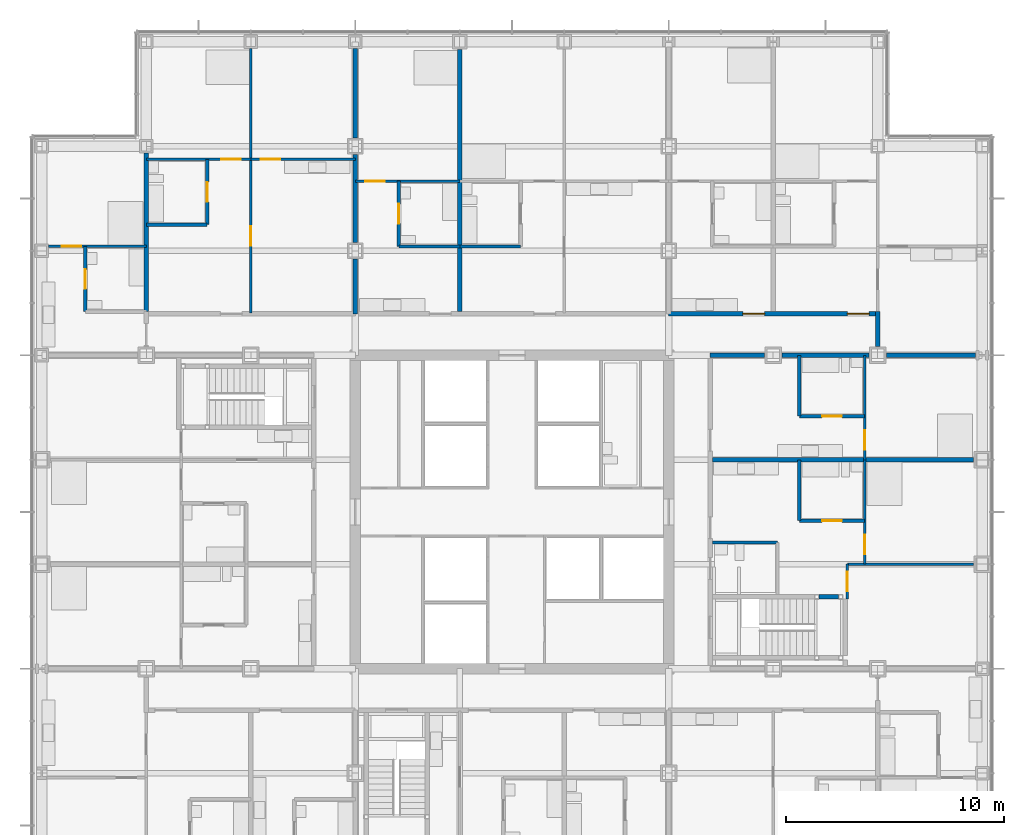
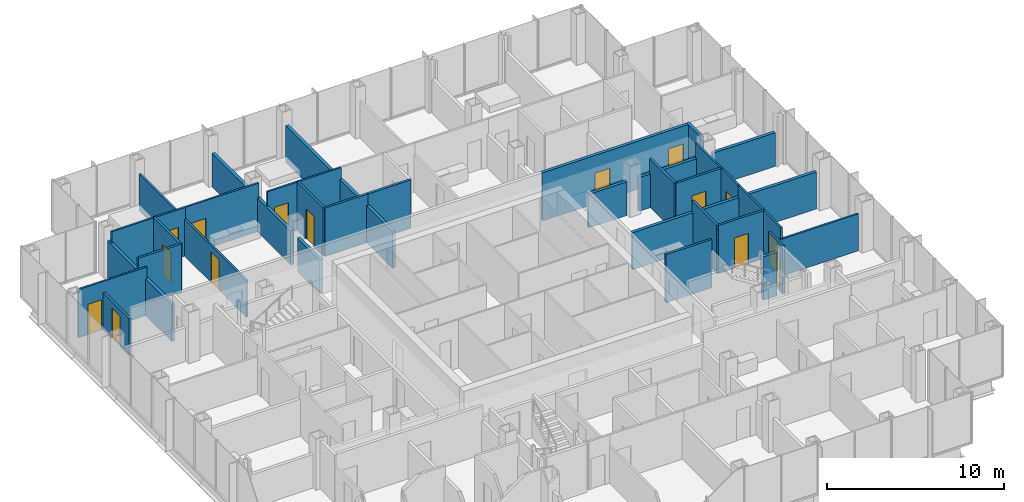
# One storey, part 17 of 21: 33 walls, 15 doors, 15 openings.
"""IFC4 building model written with IfcOpenShell, lengths in metres."""

from ifc_helpers import new_model, si_unit, direction, frame, frame_2d, origin, place, context, subcontext, project, spatial, rectangle, extrude, material, layer, layer_set, type_object, element, fill, save


model = new_model("IFC4")

# Units and contexts
model_context = context("Model", 3, precision=1e-05, world=origin(), true_north=direction((0.0, 1.0)))
body_context = subcontext(model_context, "Body", "Model", "MODEL_VIEW")
ifc_project = project(units=[si_unit("LENGTHUNIT", "METRE"), si_unit("AREAUNIT", "SQUARE_METRE"), si_unit("VOLUMEUNIT", "CUBIC_METRE"), si_unit("PLANEANGLEUNIT", "RADIAN"), si_unit("MASSUNIT", "GRAM", prefix="KILO")], contexts=[model_context])

# Site, building, storey
site_placement = place(None, origin())
site = spatial("IfcSite", under=ifc_project, at=site_placement, CompositionType="ELEMENT")
building_placement = place(site_placement, origin())
building = spatial("IfcBuilding", under=site, at=building_placement, Name="Kvirike Care Tower", CompositionType="ELEMENT")
storey_placement = place(building_placement, frame((0.0, 0.0, 27.0)))
storey = spatial("IfcBuildingStorey", under=building, at=storey_placement, Name="L06", CompositionType="ELEMENT", Elevation=27.0)

# Wall, opening, door
ifc_material_1 = material(Name="Moisture-resistant board partition", Category="gypsum")
ifc_layer_1 = layer(ifc_material_1, 0.14990234375)
ifc_layer_set_1 = layer_set([ifc_layer_1], Name="BATHROOM WALL 150")
wall_type_1 = type_object("IfcWallType", Name="BATHROOM WALL 150", PredefinedType="PARTITIONING", material=ifc_layer_set_1)
wall_1_placement = place(storey_placement, frame((7.60009765625, 52.199951171875, 0.0), z_axis=(0.0, 0.0, 1.0), x_axis=(0.0, -1.0, 0.0)))
wall_1 = element("IfcWall", 1, at=wall_1_placement, inside=storey, type_object=wall_type_1, Name="Bathroom Wall 150 L06", PredefinedType="PARTITIONING", context=body_context, shape_type="SweptSolid", body=[
    extrude(rectangle(XDim=3.0, YDim=0.14990234375, at=frame_2d((1.5, 0.0))), origin(), (0.0, 0.0, 1.0), 3.330078125),
])
opening_1_placement = place(wall_1_placement, frame((1.050048828125, 0.0, 0.0)))
opening_1 = element("IfcOpeningElement", 2, at=opening_1_placement, cuts=wall_1, Name="Opening 06-018", PredefinedType="OPENING", context=body_context, shape_type="SweptSolid", body=[
    extrude(rectangle(XDim=0.89990234375, YDim=2.10009765625, at=frame_2d((0.449951171875, 1.050048828125))), frame((0.0, 0.08544921875, 0.0), z_axis=(0.0, -1.0, 0.0), x_axis=(1.0, 0.0, 0.0)), (0.0, 0.0, 1.0), 0.1708984375),
])
ifc_material_2 = material(Name="Timber door set", Category="wood")
door_type_1 = type_object("IfcDoorType", Name="BATHROOM DOOR 900", OperationType="SINGLE_SWING_RIGHT", PredefinedType="DOOR", material=ifc_material_2)
door_1_placement = place(opening_1_placement, frame((0.89990234375, 0.0, 0.0), z_axis=(0.0, 0.0, 1.0), x_axis=(-1.0, 0.0, 0.0)))
door_1 = element("IfcDoor", 3, at=door_1_placement, inside=storey, type_object=door_type_1, Name="Bathroom door", OperationType="SINGLE_SWING_LEFT", OverallHeight=2.10009765625, OverallWidth=0.89990234375, PredefinedType="DOOR", context=body_context, shape_type="SweptSolid", body=[
    extrude(rectangle(XDim=0.89990234375, YDim=2.10009765625, at=frame_2d((0.449951171875, 1.050048828125))), frame((0.0, 0.02197265625, 0.0), z_axis=(0.0, -1.0, 0.0), x_axis=(1.0, 0.0, 0.0)), (0.0, 0.0, 1.0), 0.0439453125),
])
fill(opening_1, door_1)

# Wall
wall_2_placement = place(storey_placement, frame((7.60009765625, 49.199951171875, 0.0), z_axis=(0.0, 0.0, 1.0), x_axis=(-1.0, 0.0, 0.0)))
element("IfcWall", 4, at=wall_2_placement, inside=storey, type_object=wall_type_1, Name="Bathroom Wall 150 L06", PredefinedType="PARTITIONING", context=body_context, shape_type="SweptSolid", body=[
    extrude(rectangle(XDim=2.800048828125, YDim=0.14990234375, at=frame_2d((1.39990234375, 0.0))), origin(), (0.0, 0.0, 1.0), 3.330078125),
])

# Wall, opening, door
wall_3_placement = place(storey_placement, frame((2.0, 48.199951171875, 0.0), z_axis=(0.0, 0.0, 1.0), x_axis=(0.0, -1.0, 0.0)))
wall_3 = element("IfcWall", 5, at=wall_3_placement, inside=storey, type_object=wall_type_1, Name="Bathroom Wall 150 L06", PredefinedType="PARTITIONING", context=body_context, shape_type="SweptSolid", body=[
    extrude(rectangle(XDim=3.0, YDim=0.14990234375, at=frame_2d((1.5, 0.0))), origin(), (0.0, 0.0, 1.0), 2.550048828125),
])
opening_2_placement = place(wall_3_placement, frame((1.050048828125, 0.0, 0.0)))
opening_2 = element("IfcOpeningElement", 6, at=opening_2_placement, cuts=wall_3, Name="Opening 06-022", PredefinedType="OPENING", context=body_context, shape_type="SweptSolid", body=[
    extrude(rectangle(XDim=0.89990234375, YDim=2.10009765625, at=frame_2d((0.449951171875, 1.050048828125))), frame((0.0, 0.08544921875, 0.0), z_axis=(0.0, -1.0, 0.0), x_axis=(1.0, 0.0, 0.0)), (0.0, 0.0, 1.0), 0.1708984375),
])
door_2_placement = place(opening_2_placement, origin())
door_2 = element("IfcDoor", 7, at=door_2_placement, inside=storey, type_object=door_type_1, Name="Bathroom door", OperationType="SINGLE_SWING_RIGHT", OverallHeight=2.10009765625, OverallWidth=0.89990234375, PredefinedType="DOOR", context=body_context, shape_type="SweptSolid", body=[
    extrude(rectangle(XDim=0.89990234375, YDim=2.10009765625, at=frame_2d((0.449951171875, 1.050048828125))), frame((0.0, 0.02197265625, 0.0), z_axis=(0.0, -1.0, 0.0), x_axis=(1.0, 0.0, 0.0)), (0.0, 0.0, 1.0), 0.0439453125),
])
fill(opening_2, door_2)

# Wall
wall_4_placement = place(storey_placement, frame((22.0, 48.199951171875, 0.0), z_axis=(0.0, 0.0, 1.0), x_axis=(-1.0, 0.0, 0.0)))
element("IfcWall", 8, at=wall_4_placement, inside=storey, type_object=wall_type_1, Name="Bathroom Wall 150 L06", PredefinedType="PARTITIONING", context=body_context, shape_type="SweptSolid", body=[
    extrude(rectangle(XDim=2.800048828125, YDim=0.14990234375, at=frame_2d((1.39990234375, 0.0))), origin(), (0.0, 0.0, 1.0), 3.330078125),
])

# Wall, opening, door
wall_5_placement = place(storey_placement, frame((16.39990234375, 51.199951171875, 0.0), z_axis=(0.0, 0.0, 1.0), x_axis=(0.0, -1.0, 0.0)))
wall_5 = element("IfcWall", 9, at=wall_5_placement, inside=storey, type_object=wall_type_1, Name="Bathroom Wall 150 L06", PredefinedType="PARTITIONING", context=body_context, shape_type="SweptSolid", body=[
    extrude(rectangle(XDim=3.0, YDim=0.14990234375, at=frame_2d((1.5, 0.0))), origin(), (0.0, 0.0, 1.0), 3.330078125),
])
opening_3_placement = place(wall_5_placement, frame((1.050048828125, 0.0, 0.0)))
opening_3 = element("IfcOpeningElement", 10, at=opening_3_placement, cuts=wall_5, Name="Opening 06-039", PredefinedType="OPENING", context=body_context, shape_type="SweptSolid", body=[
    extrude(rectangle(XDim=0.89990234375, YDim=2.10009765625, at=frame_2d((0.449951171875, 1.050048828125))), frame((0.0, 0.08544921875, 0.0), z_axis=(0.0, -1.0, 0.0), x_axis=(1.0, 0.0, 0.0)), (0.0, 0.0, 1.0), 0.1708984375),
])
door_3_placement = place(opening_3_placement, origin())
door_3 = element("IfcDoor", 11, at=door_3_placement, inside=storey, type_object=door_type_1, Name="Bathroom door", OperationType="SINGLE_SWING_LEFT", OverallHeight=2.10009765625, OverallWidth=0.89990234375, PredefinedType="DOOR", context=body_context, shape_type="SweptSolid", body=[
    extrude(rectangle(XDim=0.89990234375, YDim=2.10009765625, at=frame_2d((0.449951171875, 1.050048828125))), frame((0.0, 0.02197265625, 0.0), z_axis=(0.0, -1.0, 0.0), x_axis=(1.0, 0.0, 0.0)), (0.0, 0.0, 1.0), 0.0439453125),
])
fill(opening_3, door_3)

# Walls
wall_6_placement = place(storey_placement, frame((19.199951171875, 48.199951171875, 0.0), z_axis=(0.0, 0.0, 1.0), x_axis=(-1.0, 0.0, 0.0)))
element("IfcWall", 12, at=wall_6_placement, inside=storey, type_object=wall_type_1, Name="Bathroom Wall 150 L06", PredefinedType="PARTITIONING", context=body_context, shape_type="SweptSolid", body=[
    extrude(rectangle(XDim=2.800048828125, YDim=0.14990234375, at=frame_2d((1.39990234375, 0.0))), origin(), (0.0, 0.0, 1.0), 3.330078125),
])
wall_7_placement = place(storey_placement, frame((33.800048828125, 34.60009765625, 0.0), z_axis=(0.0, 0.0, 1.0), x_axis=(-1.0, 0.0, 0.0)))
element("IfcWall", 13, at=wall_7_placement, inside=storey, type_object=wall_type_1, Name="Bathroom Wall 150 L06", PredefinedType="PARTITIONING", context=body_context, shape_type="SweptSolid", body=[
    extrude(rectangle(XDim=3.0, YDim=0.14990234375, at=frame_2d((1.5, 0.0))), origin(), (0.0, 0.0, 1.0), 3.330078125),
])

# Wall, opening, door
wall_8_placement = place(storey_placement, frame((37.800048828125, 35.60009765625, 0.0), z_axis=(0.0, 0.0, 1.0), x_axis=(-1.0, 0.0, 0.0)))
wall_8 = element("IfcWall", 14, at=wall_8_placement, inside=storey, type_object=wall_type_1, Name="Bathroom Wall 150 L06", PredefinedType="PARTITIONING", context=body_context, shape_type="SweptSolid", body=[
    extrude(rectangle(XDim=3.0, YDim=0.14990234375, at=frame_2d((1.5, 0.0))), origin(), (0.0, 0.0, 1.0), 3.330078125),
])
opening_4_placement = place(wall_8_placement, frame((1.050048828125, 0.0, 0.0)))
opening_4 = element("IfcOpeningElement", 15, at=opening_4_placement, cuts=wall_8, Name="Opening 06-051", PredefinedType="OPENING", context=body_context, shape_type="SweptSolid", body=[
    extrude(rectangle(XDim=0.89990234375, YDim=2.10009765625, at=frame_2d((0.449951171875, 1.050048828125))), frame((0.0, 0.08544921875, 0.0), z_axis=(0.0, -1.0, 0.0), x_axis=(1.0, 0.0, 0.0)), (0.0, 0.0, 1.0), 0.1708984375),
])
door_4_placement = place(opening_4_placement, frame((0.89990234375, 0.0, 0.0), z_axis=(0.0, 0.0, 1.0), x_axis=(-1.0, 0.0, 0.0)))
door_4 = element("IfcDoor", 16, at=door_4_placement, inside=storey, type_object=door_type_1, Name="Bathroom door", OperationType="SINGLE_SWING_LEFT", OverallHeight=2.10009765625, OverallWidth=0.89990234375, PredefinedType="DOOR", context=body_context, shape_type="SweptSolid", body=[
    extrude(rectangle(XDim=0.89990234375, YDim=2.10009765625, at=frame_2d((0.449951171875, 1.050048828125))), frame((0.0, 0.02197265625, 0.0), z_axis=(0.0, -1.0, 0.0), x_axis=(1.0, 0.0, 0.0)), (0.0, 0.0, 1.0), 0.0439453125),
])
fill(opening_4, door_4)

# Wall
wall_9_placement = place(storey_placement, frame((34.800048828125, 35.60009765625, 0.0), z_axis=(0.0, 0.0, 1.0), x_axis=(0.0, 1.0, 0.0)))
element("IfcWall", 17, at=wall_9_placement, inside=storey, type_object=wall_type_1, Name="Bathroom Wall 150 L06", PredefinedType="PARTITIONING", context=body_context, shape_type="SweptSolid", body=[
    extrude(rectangle(XDim=2.7998046875, YDim=0.14990234375, at=frame_2d((1.39990234375, 0.0))), origin(), (0.0, 0.0, 1.0), 3.330078125),
])

# Wall, opening, door
wall_10_placement = place(storey_placement, frame((37.800048828125, 40.39990234375, 0.0), z_axis=(0.0, 0.0, 1.0), x_axis=(-1.0, 0.0, 0.0)))
wall_10 = element("IfcWall", 18, at=wall_10_placement, inside=storey, type_object=wall_type_1, Name="Bathroom Wall 150 L06", PredefinedType="PARTITIONING", context=body_context, shape_type="SweptSolid", body=[
    extrude(rectangle(XDim=3.0, YDim=0.14990234375, at=frame_2d((1.5, 0.0))), origin(), (0.0, 0.0, 1.0), 3.330078125),
])
opening_5_placement = place(wall_10_placement, frame((1.050048828125, 0.0, 0.0)))
opening_5 = element("IfcOpeningElement", 19, at=opening_5_placement, cuts=wall_10, Name="Opening 06-054", PredefinedType="OPENING", context=body_context, shape_type="SweptSolid", body=[
    extrude(rectangle(XDim=0.89990234375, YDim=2.10009765625, at=frame_2d((0.449951171875, 1.050048828125))), frame((0.0, 0.08544921875, 0.0), z_axis=(0.0, -1.0, 0.0), x_axis=(1.0, 0.0, 0.0)), (0.0, 0.0, 1.0), 0.1708984375),
])
door_5_placement = place(opening_5_placement, frame((0.89990234375, 0.0, 0.0), z_axis=(0.0, 0.0, 1.0), x_axis=(-1.0, 0.0, 0.0)))
door_5 = element("IfcDoor", 20, at=door_5_placement, inside=storey, type_object=door_type_1, Name="Bathroom door", OperationType="SINGLE_SWING_LEFT", OverallHeight=2.10009765625, OverallWidth=0.89990234375, PredefinedType="DOOR", context=body_context, shape_type="SweptSolid", body=[
    extrude(rectangle(XDim=0.89990234375, YDim=2.10009765625, at=frame_2d((0.449951171875, 1.050048828125))), frame((0.0, 0.02197265625, 0.0), z_axis=(0.0, -1.0, 0.0), x_axis=(1.0, 0.0, 0.0)), (0.0, 0.0, 1.0), 0.0439453125),
])
fill(opening_5, door_5)

# Wall
wall_11_placement = place(storey_placement, frame((34.800048828125, 40.39990234375, 0.0), z_axis=(0.0, 0.0, 1.0), x_axis=(0.0, 1.0, 0.0)))
element("IfcWall", 21, at=wall_11_placement, inside=storey, type_object=wall_type_1, Name="Bathroom Wall 150 L06", PredefinedType="PARTITIONING", context=body_context, shape_type="SweptSolid", body=[
    extrude(rectangle(XDim=2.800048828125, YDim=0.14990234375, at=frame_2d((1.39990234375, 0.0))), origin(), (0.0, 0.0, 1.0), 3.330078125),
])

# Wall, openings, doors
ifc_material_3 = material(Name="Plasterboard corridor wall", Category="gypsum")
ifc_layer_2 = layer(ifc_material_3, 0.199951171875)
ifc_layer_set_2 = layer_set([ifc_layer_2], Name="CORRIDOR WALL 200")
wall_type_2 = type_object("IfcWallType", Name="CORRIDOR WALL 200", PredefinedType="PARTITIONING", material=ifc_layer_set_2)
wall_12_placement = place(storey_placement, frame((38.39990234375, 45.10009765625, 0.0), z_axis=(0.0, 0.0, 1.0), x_axis=(-1.0, 0.0, 0.0)))
wall_12 = element("IfcWall", 22, at=wall_12_placement, inside=storey, type_object=wall_type_2, Name="Corridor Wall 200 L06", PredefinedType="PARTITIONING", context=body_context, shape_type="SweptSolid", body=[
    extrude(rectangle(XDim=9.599853515625, YDim=0.199951171875, at=frame_2d((4.7998046875, 0.0))), origin(), (0.0, 0.0, 1.0), 3.330078125),
])
opening_6_placement = place(wall_12_placement, frame((0.39990234375, 0.0, 0.0)))
opening_6 = element("IfcOpeningElement", 23, at=opening_6_placement, cuts=wall_12, Name="Opening 06-066", PredefinedType="OPENING", context=body_context, shape_type="SweptSolid", body=[
    extrude(rectangle(XDim=1.0, YDim=2.10009765625, at=frame_2d((0.5, 1.050048828125))), frame((0.0, 0.110595703125, 0.0), z_axis=(0.0, -1.0, 0.0), x_axis=(1.0, 0.0, 0.0)), (0.0, 0.0, 1.0), 0.220947265625),
])
opening_7_placement = place(wall_12_placement, frame((5.199951171875, 0.0, 0.0)))
opening_7 = element("IfcOpeningElement", 24, at=opening_7_placement, cuts=wall_12, Name="Opening 06-067", PredefinedType="OPENING", context=body_context, shape_type="SweptSolid", body=[
    extrude(rectangle(XDim=1.0, YDim=2.10009765625, at=frame_2d((0.5, 1.050048828125))), frame((0.0, 0.110595703125, 0.0), z_axis=(0.0, -1.0, 0.0), x_axis=(1.0, 0.0, 0.0)), (0.0, 0.0, 1.0), 0.220947265625),
])
ifc_material_4 = material(Name="Timber door set", Category="wood")
door_type_2 = type_object("IfcDoorType", Name="FLAT ENTRANCE DOOR 1000", OperationType="SINGLE_SWING_LEFT", PredefinedType="DOOR", material=ifc_material_4)
door_6_placement = place(opening_6_placement, frame((1.0, 0.0, 0.0), z_axis=(0.0, 0.0, 1.0), x_axis=(-1.0, 0.0, 0.0)))
door_6 = element("IfcDoor", 25, at=door_6_placement, inside=storey, type_object=door_type_2, Name="One-bedroom apartment entrance", OperationType="SINGLE_SWING_LEFT", OverallHeight=2.10009765625, OverallWidth=1.0, PredefinedType="DOOR", context=body_context, shape_type="SweptSolid", body=[
    extrude(rectangle(XDim=1.0, YDim=2.10009765625, at=frame_2d((0.5, 1.050048828125))), frame((0.0, 0.02685546875, 0.0), z_axis=(0.0, -1.0, 0.0), x_axis=(1.0, 0.0, 0.0)), (0.0, 0.0, 1.0), 0.053955078125),
])
fill(opening_6, door_6)
door_7_placement = place(opening_7_placement, frame((1.0, 0.0, 0.0), z_axis=(0.0, 0.0, 1.0), x_axis=(-1.0, 0.0, 0.0)))
door_7 = element("IfcDoor", 26, at=door_7_placement, inside=storey, type_object=door_type_2, Name="Studio apartment entrance", OperationType="SINGLE_SWING_LEFT", OverallHeight=2.10009765625, OverallWidth=1.0, PredefinedType="DOOR", context=body_context, shape_type="SweptSolid", body=[
    extrude(rectangle(XDim=1.0, YDim=2.10009765625, at=frame_2d((0.5, 1.050048828125))), frame((0.0, 0.02685546875, 0.0), z_axis=(0.0, -1.0, 0.0), x_axis=(1.0, 0.0, 0.0)), (0.0, 0.0, 1.0), 0.053955078125),
])
fill(opening_7, door_7)

# Wall
wall_13_placement = place(storey_placement, frame((38.39990234375, 45.199951171875, 0.0), z_axis=(0.0, 0.0, 1.0), x_axis=(0.0, -1.0, 0.0)))
element("IfcWall", 27, at=wall_13_placement, inside=storey, type_object=wall_type_2, Name="Corridor Wall 200 L06", PredefinedType="PARTITIONING", context=body_context, shape_type="SweptSolid", body=[
    extrude(rectangle(XDim=1.60498046875, YDim=0.199951171875, at=frame_2d((0.802490234375, 0.0))), origin(), (0.0, 0.0, 1.0), 3.330078125),
])

# Wall, opening, door
ifc_material_5 = material(Name="Plasterboard partition", Category="gypsum")
ifc_layer_3 = layer(ifc_material_5, 0.1201171875)
ifc_layer_set_3 = layer_set([ifc_layer_3], Name="PARTITION 120")
wall_type_3 = type_object("IfcWallType", Name="PARTITION 120", PredefinedType="PARTITIONING", material=ifc_layer_set_3)
wall_14_placement = place(storey_placement, frame((9.60009765625, 52.199951171875, 0.0), z_axis=(0.0, 0.0, 1.0), x_axis=(0.0, -1.0, 0.0)))
wall_14 = element("IfcWall", 28, at=wall_14_placement, inside=storey, type_object=wall_type_3, Name="Partition 120 L06", PredefinedType="PARTITIONING", context=body_context, shape_type="SweptSolid", body=[
    extrude(rectangle(XDim=7.050048828125, YDim=0.1201171875, at=frame_2d((3.52490234375, 0.0))), origin(), (0.0, 0.0, 1.0), 2.550048828125),
])
opening_8_placement = place(wall_14_placement, frame((3.074951171875, 0.0, 0.0)))
opening_8 = element("IfcOpeningElement", 29, at=opening_8_placement, cuts=wall_14, Name="Opening 06-019", PredefinedType="OPENING", context=body_context, shape_type="SweptSolid", body=[
    extrude(rectangle(XDim=0.89990234375, YDim=2.10009765625, at=frame_2d((0.449951171875, 1.050048828125))), frame((0.0, 0.070556640625, 0.0), z_axis=(0.0, -1.0, 0.0), x_axis=(1.0, 0.0, 0.0)), (0.0, 0.0, 1.0), 0.14111328125),
])
ifc_material_6 = material(Name="Timber door set", Category="wood")
door_type_3 = type_object("IfcDoorType", Name="INTERNAL DOOR 900", OperationType="SINGLE_SWING_LEFT", PredefinedType="DOOR", material=ifc_material_6)
door_8_placement = place(opening_8_placement, frame((0.89990234375, 0.0, 0.0), z_axis=(0.0, 0.0, 1.0), x_axis=(-1.0, 0.0, 0.0)))
door_8 = element("IfcDoor", 30, at=door_8_placement, inside=storey, type_object=door_type_3, Name="Hall door", OperationType="SINGLE_SWING_RIGHT", OverallHeight=2.10009765625, OverallWidth=0.89990234375, PredefinedType="DOOR", context=body_context, shape_type="SweptSolid", body=[
    extrude(rectangle(XDim=0.89990234375, YDim=2.10009765625, at=frame_2d((0.449951171875, 1.050048828125))), frame((0.0, 0.02197265625, 0.0), z_axis=(0.0, -1.0, 0.0), x_axis=(1.0, 0.0, 0.0)), (0.0, 0.0, 1.0), 0.0439453125),
])
fill(opening_8, door_8)

wall_15_placement = place(storey_placement, frame((14.39990234375, 52.199951171875, 0.0), z_axis=(0.0, 0.0, 1.0), x_axis=(-1.0, 0.0, 0.0)))
wall_15 = element("IfcWall", 31, at=wall_15_placement, inside=storey, type_object=wall_type_3, Name="Partition 120 L06", PredefinedType="PARTITIONING", context=body_context, shape_type="SweptSolid", body=[
    extrude(rectangle(XDim=4.7998046875, YDim=0.1201171875, at=frame_2d((2.39990234375, 0.0))), origin(), (0.0, 0.0, 1.0), 3.330078125),
])
opening_9_placement = place(wall_15_placement, frame((3.449951171875, 0.0, 0.0)))
opening_9 = element("IfcOpeningElement", 32, at=opening_9_placement, cuts=wall_15, Name="Opening 06-020", PredefinedType="OPENING", context=body_context, shape_type="SweptSolid", body=[
    extrude(rectangle(XDim=0.89990234375, YDim=2.10009765625, at=frame_2d((0.449951171875, 1.050048828125))), frame((0.0, 0.070556640625, 0.0), z_axis=(0.0, -1.0, 0.0), x_axis=(1.0, 0.0, 0.0)), (0.0, 0.0, 1.0), 0.14111328125),
])
door_9_placement = place(opening_9_placement, frame((0.89990234375, 0.0, 0.0), z_axis=(0.0, 0.0, 1.0), x_axis=(-1.0, 0.0, 0.0)))
door_9 = element("IfcDoor", 33, at=door_9_placement, inside=storey, type_object=door_type_3, Name="Apartment living room door", OperationType="SINGLE_SWING_RIGHT", OverallHeight=2.10009765625, OverallWidth=0.89990234375, PredefinedType="DOOR", context=body_context, shape_type="SweptSolid", body=[
    extrude(rectangle(XDim=0.89990234375, YDim=2.10009765625, at=frame_2d((0.449951171875, 1.050048828125))), frame((0.0, 0.02197265625, 0.0), z_axis=(0.0, -1.0, 0.0), x_axis=(1.0, 0.0, 0.0)), (0.0, 0.0, 1.0), 0.0439453125),
])
fill(opening_9, door_9)

wall_16_placement = place(storey_placement, frame((9.60009765625, 52.199951171875, 0.0), z_axis=(0.0, 0.0, 1.0), x_axis=(-1.0, 0.0, 0.0)))
wall_16 = element("IfcWall", 34, at=wall_16_placement, inside=storey, type_object=wall_type_3, Name="Partition 120 L06", PredefinedType="PARTITIONING", context=body_context, shape_type="SweptSolid", body=[
    extrude(rectangle(XDim=4.800048828125, YDim=0.1201171875, at=frame_2d((2.39990234375, 0.0))), origin(), (0.0, 0.0, 1.0), 3.330078125),
])
opening_10_placement = place(wall_16_placement, frame((0.449951171875, 0.0, 0.0)))
opening_10 = element("IfcOpeningElement", 35, at=opening_10_placement, cuts=wall_16, Name="Opening 06-021", PredefinedType="OPENING", context=body_context, shape_type="SweptSolid", body=[
    extrude(rectangle(XDim=0.89990234375, YDim=2.10009765625, at=frame_2d((0.449951171875, 1.050048828125))), frame((0.0, 0.070556640625, 0.0), z_axis=(0.0, -1.0, 0.0), x_axis=(1.0, 0.0, 0.0)), (0.0, 0.0, 1.0), 0.14111328125),
])
door_10_placement = place(opening_10_placement, origin())
door_10 = element("IfcDoor", 36, at=door_10_placement, inside=storey, type_object=door_type_3, Name="Apartment bedroom door", OperationType="SINGLE_SWING_RIGHT", OverallHeight=2.10009765625, OverallWidth=0.89990234375, PredefinedType="DOOR", context=body_context, shape_type="SweptSolid", body=[
    extrude(rectangle(XDim=0.89990234375, YDim=2.10009765625, at=frame_2d((0.449951171875, 1.050048828125))), frame((0.0, 0.02197265625, 0.0), z_axis=(0.0, -1.0, 0.0), x_axis=(1.0, 0.0, 0.0)), (0.0, 0.0, 1.0), 0.0439453125),
])
fill(opening_10, door_10)

# Wall
wall_17_placement = place(storey_placement, frame((9.60009765625, 57.280029296875, 0.0), z_axis=(0.0, 0.0, 1.0), x_axis=(0.0, -1.0, 0.0)))
element("IfcWall", 37, at=wall_17_placement, inside=storey, type_object=wall_type_3, Name="Partition 120 L06", PredefinedType="PARTITIONING", context=body_context, shape_type="SweptSolid", body=[
    extrude(rectangle(XDim=5.080078125, YDim=0.1201171875, at=frame_2d((2.5400390625, 0.0))), origin(), (0.0, 0.0, 1.0), 2.550048828125),
])

# Wall, opening, door
wall_18_placement = place(storey_placement, frame((4.800048828125, 48.199951171875, 0.0), z_axis=(0.0, 0.0, 1.0), x_axis=(-1.0, 0.0, 0.0)))
wall_18 = element("IfcWall", 38, at=wall_18_placement, inside=storey, type_object=wall_type_3, Name="Partition 120 L06", PredefinedType="PARTITIONING", context=body_context, shape_type="SweptSolid", body=[
    extrude(rectangle(XDim=4.47998046875, YDim=0.1201171875, at=frame_2d((2.239990234375, 0.0))), origin(), (0.0, 0.0, 1.0), 3.330078125),
])
opening_11_placement = place(wall_18_placement, frame((2.97509765625, 0.0, 0.0)))
opening_11 = element("IfcOpeningElement", 39, at=opening_11_placement, cuts=wall_18, Name="Opening 06-023", PredefinedType="OPENING", context=body_context, shape_type="SweptSolid", body=[
    extrude(rectangle(XDim=0.89990234375, YDim=2.10009765625, at=frame_2d((0.449951171875, 1.050048828125))), frame((0.0, 0.070556640625, 0.0), z_axis=(0.0, -1.0, 0.0), x_axis=(1.0, 0.0, 0.0)), (0.0, 0.0, 1.0), 0.14111328125),
])
door_11_placement = place(opening_11_placement, origin())
door_11 = element("IfcDoor", 40, at=door_11_placement, inside=storey, type_object=door_type_3, Name="Studio apartment living room door", OperationType="SINGLE_SWING_RIGHT", OverallHeight=2.10009765625, OverallWidth=0.89990234375, PredefinedType="DOOR", context=body_context, shape_type="SweptSolid", body=[
    extrude(rectangle(XDim=0.89990234375, YDim=2.10009765625, at=frame_2d((0.449951171875, 1.050048828125))), frame((0.0, 0.02197265625, 0.0), z_axis=(0.0, -1.0, 0.0), x_axis=(1.0, 0.0, 0.0)), (0.0, 0.0, 1.0), 0.0439453125),
])
fill(opening_11, door_11)

wall_19_placement = place(storey_placement, frame((19.199951171875, 51.199951171875, 0.0), z_axis=(0.0, 0.0, 1.0), x_axis=(-1.0, 0.0, 0.0)))
wall_19 = element("IfcWall", 41, at=wall_19_placement, inside=storey, type_object=wall_type_3, Name="Partition 120 L06", PredefinedType="PARTITIONING", context=body_context, shape_type="SweptSolid", body=[
    extrude(rectangle(XDim=4.800048828125, YDim=0.1201171875, at=frame_2d((2.39990234375, 0.0))), origin(), (0.0, 0.0, 1.0), 3.330078125),
])
opening_12_placement = place(wall_19_placement, frame((3.449951171875, 0.0, 0.0)))
opening_12 = element("IfcOpeningElement", 42, at=opening_12_placement, cuts=wall_19, Name="Opening 06-040", PredefinedType="OPENING", context=body_context, shape_type="SweptSolid", body=[
    extrude(rectangle(XDim=0.89990234375, YDim=2.10009765625, at=frame_2d((0.449951171875, 1.050048828125))), frame((0.0, 0.070556640625, 0.0), z_axis=(0.0, -1.0, 0.0), x_axis=(1.0, 0.0, 0.0)), (0.0, 0.0, 1.0), 0.14111328125),
])
door_12_placement = place(opening_12_placement, origin())
door_12 = element("IfcDoor", 43, at=door_12_placement, inside=storey, type_object=door_type_3, Name="Studio apartment living room door", OperationType="SINGLE_SWING_LEFT", OverallHeight=2.10009765625, OverallWidth=0.89990234375, PredefinedType="DOOR", context=body_context, shape_type="SweptSolid", body=[
    extrude(rectangle(XDim=0.89990234375, YDim=2.10009765625, at=frame_2d((0.449951171875, 1.050048828125))), frame((0.0, 0.02197265625, 0.0), z_axis=(0.0, -1.0, 0.0), x_axis=(1.0, 0.0, 0.0)), (0.0, 0.0, 1.0), 0.0439453125),
])
fill(opening_12, door_12)

wall_20_placement = place(storey_placement, frame((37.0, 32.0, 0.0), z_axis=(0.0, 0.0, 1.0), x_axis=(0.0, 1.0, 0.0)))
wall_20 = element("IfcWall", 44, at=wall_20_placement, inside=storey, type_object=wall_type_3, Name="Partition 120 L06", PredefinedType="PARTITIONING", context=body_context, shape_type="SweptSolid", body=[
    extrude(rectangle(XDim=1.60009765625, YDim=0.1201171875, at=frame_2d((0.800048828125, 0.0))), origin(), (0.0, 0.0, 1.0), 3.330078125),
])
opening_13_placement = place(wall_20_placement, frame((0.35009765625, 0.0, 0.0)))
opening_13 = element("IfcOpeningElement", 45, at=opening_13_placement, cuts=wall_20, Name="Opening 06-052", PredefinedType="OPENING", context=body_context, shape_type="SweptSolid", body=[
    extrude(rectangle(XDim=0.89990234375, YDim=2.10009765625, at=frame_2d((0.449951171875, 1.050048828125))), frame((0.0, 0.070556640625, 0.0), z_axis=(0.0, -1.0, 0.0), x_axis=(1.0, 0.0, 0.0)), (0.0, 0.0, 1.0), 0.14111328125),
])
door_13_placement = place(opening_13_placement, origin())
door_13 = element("IfcDoor", 46, at=door_13_placement, inside=storey, type_object=door_type_3, Name="Apartment living room door", OperationType="SINGLE_SWING_RIGHT", OverallHeight=2.10009765625, OverallWidth=0.89990234375, PredefinedType="DOOR", context=body_context, shape_type="SweptSolid", body=[
    extrude(rectangle(XDim=0.89990234375, YDim=2.10009765625, at=frame_2d((0.449951171875, 1.050048828125))), frame((0.0, 0.02197265625, 0.0), z_axis=(0.0, -1.0, 0.0), x_axis=(1.0, 0.0, 0.0)), (0.0, 0.0, 1.0), 0.0439453125),
])
fill(opening_13, door_13)

wall_21_placement = place(storey_placement, frame((37.800048828125, 33.60009765625, 0.0), z_axis=(0.0, 0.0, 1.0), x_axis=(0.0, 1.0, 0.0)))
wall_21 = element("IfcWall", 47, at=wall_21_placement, inside=storey, type_object=wall_type_3, Name="Partition 120 L06", PredefinedType="PARTITIONING", context=body_context, shape_type="SweptSolid", body=[
    extrude(rectangle(XDim=4.7998046875, YDim=0.1201171875, at=frame_2d((2.39990234375, 0.0))), origin(), (0.0, 0.0, 1.0), 3.330078125),
])
opening_14_placement = place(wall_21_placement, frame((0.449951171875, 0.0, 0.0)))
opening_14 = element("IfcOpeningElement", 48, at=opening_14_placement, cuts=wall_21, Name="Opening 06-053", PredefinedType="OPENING", context=body_context, shape_type="SweptSolid", body=[
    extrude(rectangle(XDim=0.89990234375, YDim=2.10009765625, at=frame_2d((0.449951171875, 1.050048828125))), frame((0.0, 0.070556640625, 0.0), z_axis=(0.0, -1.0, 0.0), x_axis=(1.0, 0.0, 0.0)), (0.0, 0.0, 1.0), 0.14111328125),
])
door_14_placement = place(opening_14_placement, frame((0.89990234375, 0.0, 0.0), z_axis=(0.0, 0.0, 1.0), x_axis=(-1.0, 0.0, 0.0)))
door_14 = element("IfcDoor", 49, at=door_14_placement, inside=storey, type_object=door_type_3, Name="Apartment bedroom door", OperationType="SINGLE_SWING_LEFT", OverallHeight=2.10009765625, OverallWidth=0.89990234375, PredefinedType="DOOR", context=body_context, shape_type="SweptSolid", body=[
    extrude(rectangle(XDim=0.89990234375, YDim=2.10009765625, at=frame_2d((0.449951171875, 1.050048828125))), frame((0.0, 0.02197265625, 0.0), z_axis=(0.0, -1.0, 0.0), x_axis=(1.0, 0.0, 0.0)), (0.0, 0.0, 1.0), 0.0439453125),
])
fill(opening_14, door_14)

# Wall
wall_22_placement = place(storey_placement, frame((42.804931640625, 33.60009765625, 0.0), z_axis=(0.0, 0.0, 1.0), x_axis=(-1.0, 0.0, 0.0)))
element("IfcWall", 50, at=wall_22_placement, inside=storey, type_object=wall_type_3, Name="Partition 120 L06", PredefinedType="PARTITIONING", context=body_context, shape_type="SweptSolid", body=[
    extrude(rectangle(XDim=5.804931640625, YDim=0.1201171875, at=frame_2d((2.90234375, 0.0))), origin(), (0.0, 0.0, 1.0), 2.550048828125),
])

# Wall, opening, door
wall_23_placement = place(storey_placement, frame((37.800048828125, 38.39990234375, 0.0), z_axis=(0.0, 0.0, 1.0), x_axis=(0.0, 1.0, 0.0)))
wall_23 = element("IfcWall", 51, at=wall_23_placement, inside=storey, type_object=wall_type_3, Name="Partition 120 L06", PredefinedType="PARTITIONING", context=body_context, shape_type="SweptSolid", body=[
    extrude(rectangle(XDim=4.800048828125, YDim=0.1201171875, at=frame_2d((2.39990234375, 0.0))), origin(), (0.0, 0.0, 1.0), 3.330078125),
])
opening_15_placement = place(wall_23_placement, frame((0.449951171875, 0.0, 0.0)))
opening_15 = element("IfcOpeningElement", 52, at=opening_15_placement, cuts=wall_23, Name="Opening 06-055", PredefinedType="OPENING", context=body_context, shape_type="SweptSolid", body=[
    extrude(rectangle(XDim=0.89990234375, YDim=2.10009765625, at=frame_2d((0.449951171875, 1.050048828125))), frame((0.0, 0.070556640625, 0.0), z_axis=(0.0, -1.0, 0.0), x_axis=(1.0, 0.0, 0.0)), (0.0, 0.0, 1.0), 0.14111328125),
])
door_15_placement = place(opening_15_placement, origin())
door_15 = element("IfcDoor", 53, at=door_15_placement, inside=storey, type_object=door_type_3, Name="Studio apartment living room door", OperationType="SINGLE_SWING_RIGHT", OverallHeight=2.10009765625, OverallWidth=0.89990234375, PredefinedType="DOOR", context=body_context, shape_type="SweptSolid", body=[
    extrude(rectangle(XDim=0.89990234375, YDim=2.10009765625, at=frame_2d((0.449951171875, 1.050048828125))), frame((0.0, 0.02197265625, 0.0), z_axis=(0.0, -1.0, 0.0), x_axis=(1.0, 0.0, 0.0)), (0.0, 0.0, 1.0), 0.0439453125),
])
fill(opening_15, door_15)

# Walls
ifc_material_7 = material(Name="Plasterboard party wall", Category="gypsum")
ifc_layer_4 = layer(ifc_material_7, 0.199951171875)
ifc_layer_set_4 = layer_set([ifc_layer_4], Name="PARTY WALL 200")
wall_type_4 = type_object("IfcWallType", Name="PARTY WALL 200", PredefinedType="PARTITIONING", material=ifc_layer_set_4)
wall_24_placement = place(storey_placement, frame((4.800048828125, 52.47998046875, 0.0), z_axis=(0.0, 0.0, 1.0), x_axis=(0.0, -1.0, 0.0)))
element("IfcWall", 54, at=wall_24_placement, inside=storey, type_object=wall_type_4, Name="Party Wall 200 L06", PredefinedType="PARTITIONING", context=body_context, shape_type="SweptSolid", body=[
    extrude(rectangle(XDim=7.280029296875, YDim=0.199951171875, at=frame_2d((3.64013671875, 0.0))), origin(), (0.0, 0.0, 1.0), 2.550048828125),
])
wall_25_placement = place(storey_placement, frame((19.199951171875, 57.2548828125, 0.0), z_axis=(0.0, 0.0, 1.0), x_axis=(0.0, -1.0, 0.0)))
element("IfcWall", 55, at=wall_25_placement, inside=storey, type_object=wall_type_4, Name="Party Wall 200 L06", PredefinedType="PARTITIONING", context=body_context, shape_type="SweptSolid", body=[
    extrude(rectangle(XDim=12.054931640625, YDim=0.199951171875, at=frame_2d((6.02734375, 0.0))), origin(), (0.0, 0.0, 1.0), 2.550048828125),
])
wall_26_placement = place(storey_placement, frame((42.804931640625, 38.39990234375, 0.0), z_axis=(0.0, 0.0, 1.0), x_axis=(-1.0, 0.0, 0.0)))
element("IfcWall", 56, at=wall_26_placement, inside=storey, type_object=wall_type_4, Name="Party Wall 200 L06", PredefinedType="PARTITIONING", context=body_context, shape_type="SweptSolid", body=[
    extrude(rectangle(XDim=12.0048828125, YDim=0.199951171875, at=frame_2d((6.00244140625, 0.0))), origin(), (0.0, 0.0, 1.0), 2.550048828125),
])
wall_27_placement = place(storey_placement, frame((14.39990234375, 45.10009765625, 0.0), z_axis=(0.0, 0.0, 1.0), x_axis=(0.0, 1.0, 0.0)))
element("IfcWall", 57, at=wall_27_placement, inside=storey, type_object=wall_type_4, Name="Party Wall 200 L06", PredefinedType="PARTITIONING", context=body_context, shape_type="SweptSolid", body=[
    extrude(rectangle(XDim=2.52978515625, YDim=0.199951171875, at=frame_2d((1.264892578125, 0.0))), origin(), (0.0, 0.0, 1.0), 2.320068359375),
])
wall_28_placement = place(storey_placement, frame((14.39990234375, 48.3701171875, 0.0), z_axis=(0.0, 0.0, 1.0), x_axis=(0.0, 1.0, 0.0)))
element("IfcWall", 58, at=wall_28_placement, inside=storey, type_object=wall_type_4, Name="Party Wall 200 L06", PredefinedType="PARTITIONING", context=body_context, shape_type="SweptSolid", body=[
    extrude(rectangle(XDim=4.059814453125, YDim=0.199951171875, at=frame_2d((2.02978515625, 0.0))), origin(), (0.0, 0.0, 1.0), 2.320068359375),
])
wall_29_placement = place(storey_placement, frame((14.39990234375, 53.169921875, 0.0), z_axis=(0.0, 0.0, 1.0), x_axis=(0.0, 1.0, 0.0)))
element("IfcWall", 59, at=wall_29_placement, inside=storey, type_object=wall_type_4, Name="Party Wall 200 L06", PredefinedType="PARTITIONING", context=body_context, shape_type="SweptSolid", body=[
    extrude(rectangle(XDim=4.110107421875, YDim=0.199951171875, at=frame_2d((2.05517578125, 0.0))), origin(), (0.0, 0.0, 1.0), 2.320068359375),
])
wall_30_placement = place(storey_placement, frame((42.8955078125, 43.199951171875, 0.0), z_axis=(0.0, 0.0, 1.0), x_axis=(-1.0, 0.0, 0.0)))
element("IfcWall", 60, at=wall_30_placement, inside=storey, type_object=wall_type_4, Name="Party Wall 200 L06", PredefinedType="PARTITIONING", context=body_context, shape_type="SweptSolid", body=[
    extrude(rectangle(XDim=4.1005859375, YDim=0.199951171875, at=frame_2d((2.05029296875, 0.0))), origin(), (0.0, 0.0, 1.0), 2.320068359375),
])
wall_31_placement = place(storey_placement, frame((38.0048828125, 43.199951171875, 0.0), z_axis=(0.0, 0.0, 1.0), x_axis=(-1.0, 0.0, 0.0)))
element("IfcWall", 61, at=wall_31_placement, inside=storey, type_object=wall_type_4, Name="Party Wall 200 L06", PredefinedType="PARTITIONING", context=body_context, shape_type="SweptSolid", body=[
    extrude(rectangle(XDim=4.009765625, YDim=0.199951171875, at=frame_2d((2.0048828125, 0.0))), origin(), (0.0, 0.0, 1.0), 2.320068359375),
])
wall_32_placement = place(storey_placement, frame((33.205078125, 43.199951171875, 0.0), z_axis=(0.0, 0.0, 1.0), x_axis=(-1.0, 0.0, 0.0)))
element("IfcWall", 62, at=wall_32_placement, inside=storey, type_object=wall_type_4, Name="Party Wall 200 L06", PredefinedType="PARTITIONING", context=body_context, shape_type="SweptSolid", body=[
    extrude(rectangle(XDim=2.505126953125, YDim=0.199951171875, at=frame_2d((1.25244140625, 0.0))), origin(), (0.0, 0.0, 1.0), 2.320068359375),
])
ifc_material_8 = material(Name="Concrete C40/50", Category="concrete")
ifc_layer_5 = layer(ifc_material_8, 0.199951171875)
ifc_layer_set_5 = layer_set([ifc_layer_5], Name="STAIR WALL 200")
wall_type_5 = type_object("IfcWallType", Name="STAIR WALL 200", PredefinedType="SOLIDWALL", material=ifc_layer_set_5)
wall_33_placement = place(storey_placement, frame((36.60009765625, 32.10009765625, 0.0), z_axis=(0.0, 0.0, 1.0), x_axis=(-1.0, 0.0, 0.0)))
element("IfcWall", 63, at=wall_33_placement, inside=storey, type_object=wall_type_5, Name="Stair Wall 200 L06", PredefinedType="SOLIDWALL", context=body_context, shape_type="SweptSolid", body=[
    extrude(rectangle(XDim=0.900146484375, YDim=0.199951171875, at=frame_2d((0.4501953125, 0.0))), origin(), (0.0, 0.0, 1.0), 2.989990234375),
])

save(model, "model.ifc")
